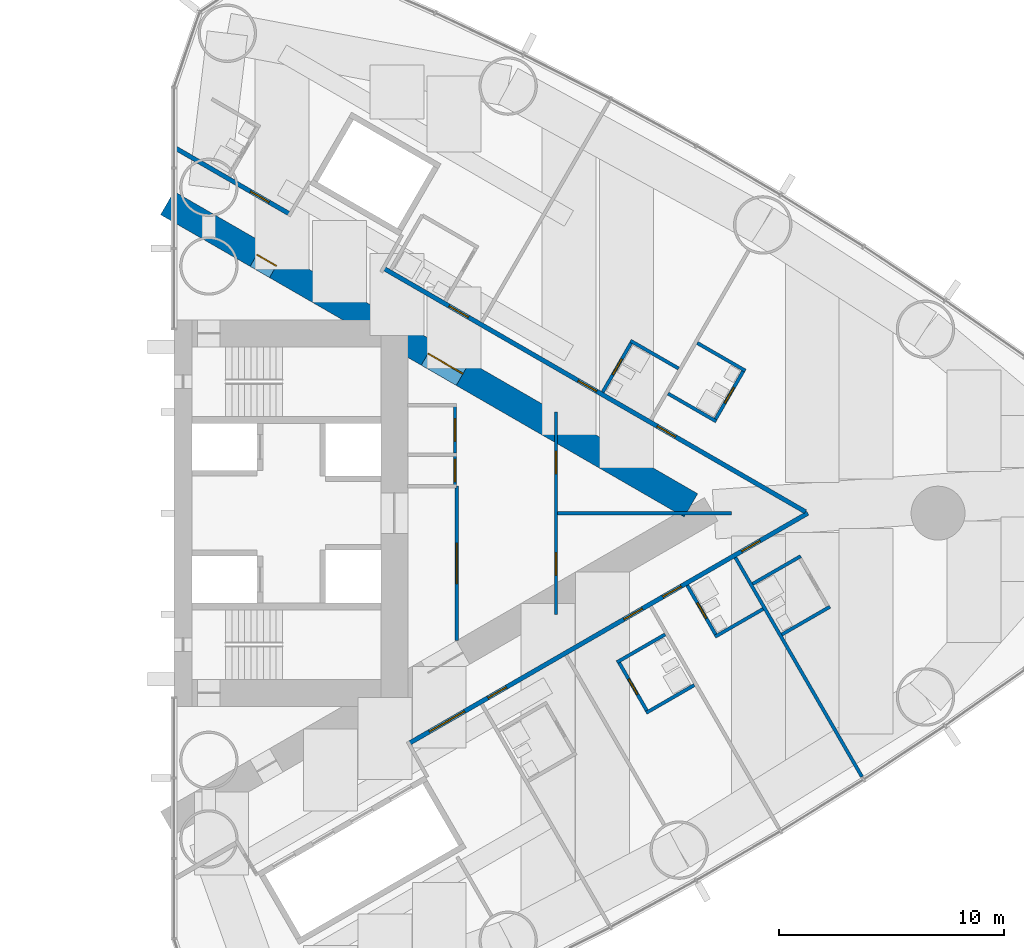
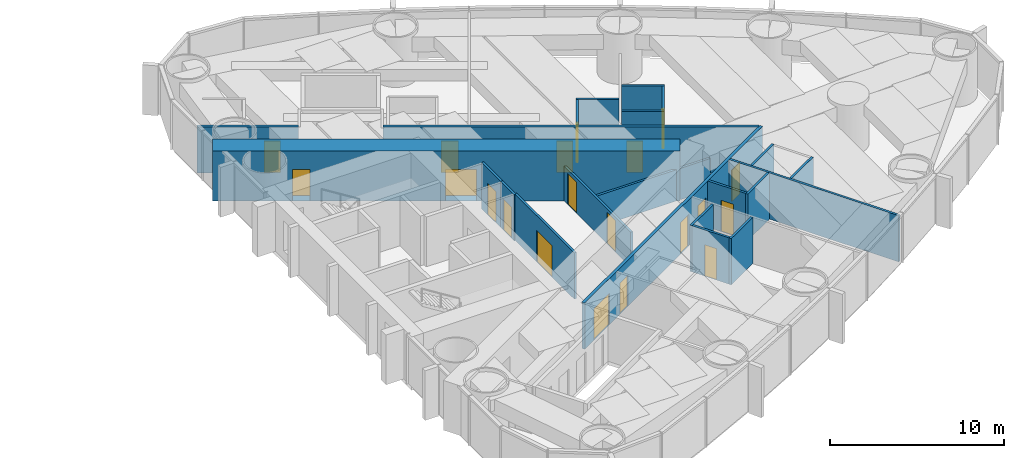
# One storey, part 14 of 18: 22 walls, 20 doors, 20 openings.
"""IFC4 building model written with IfcOpenShell, lengths in metres."""

from ifc_helpers import new_model, si_unit, direction, frame, frame_2d, origin, place, context, subcontext, project, spatial, rectangle, extrude, material, layer, layer_set, type_object, element, fill, save


model = new_model("IFC4")

# Units and contexts
model_context = context("Model", 3, precision=1e-05, world=origin(), true_north=direction((0.0, 1.0)))
body_context = subcontext(model_context, "Body", "Model", "MODEL_VIEW")
ifc_project = project(units=[si_unit("LENGTHUNIT", "METRE"), si_unit("AREAUNIT", "SQUARE_METRE"), si_unit("VOLUMEUNIT", "CUBIC_METRE"), si_unit("PLANEANGLEUNIT", "RADIAN"), si_unit("MASSUNIT", "GRAM", prefix="KILO")], contexts=[model_context])

# Site, building, storey
site_placement = place(None, origin())
site = spatial("IfcSite", under=ifc_project, at=site_placement, CompositionType="ELEMENT")
building_placement = place(site_placement, origin())
building = spatial("IfcBuilding", under=site, at=building_placement, Name="Lancet Gate Hotel", CompositionType="ELEMENT")
storey_placement = place(building_placement, frame((0.0, 0.0, 97.60009765625)))
storey = spatial("IfcBuildingStorey", under=building, at=storey_placement, Name="L25", CompositionType="ELEMENT", Elevation=97.60009765625)

# Wall
ifc_material_1 = material(Name="Moisture resistant board partition")
ifc_layer_1 = layer(ifc_material_1, 0.14990234375)
ifc_layer_set_1 = layer_set([ifc_layer_1], Name="Bathroom wall 150")
wall_type_1 = type_object("IfcWallType", Name="Bathroom wall 150", PredefinedType="PARTITIONING", material=ifc_layer_set_1)
wall_1_placement = place(storey_placement, frame((48.510009765625, -8.88671875, 0.0), z_axis=(0.0, 0.0, 1.0), x_axis=(0.866031185235, 0.4999899861, 0.0)))
element("IfcWall", 1, at=wall_1_placement, inside=storey, type_object=wall_type_1, Name="T2 bathroom wall 150 L25", PredefinedType="PARTITIONING", context=body_context, shape_type="SweptSolid", body=[
    extrude(rectangle(XDim=2.47509765625, YDim=0.14990234375, at=frame_2d((1.237548828125, 0.0))), origin(), (0.0, 0.0, 1.0), 3.25),
])

# Wall, opening, door
wall_2_placement = place(storey_placement, frame((47.275146484375, -6.597412109375, 0.0), z_axis=(0.0, 0.0, 1.0), x_axis=(0.499936506574, -0.866062058628, 0.0)))
wall_2 = element("IfcWall", 2, at=wall_2_placement, inside=storey, type_object=wall_type_1, Name="T2 bathroom wall 150 L25", PredefinedType="PARTITIONING", context=body_context, shape_type="SweptSolid", body=[
    extrude(rectangle(XDim=2.599853515625, YDim=0.14990234375, at=frame_2d((1.2998046875, 0.0))), origin(), (0.0, 0.0, 1.0), 3.25),
])
opening_1_placement = place(wall_2_placement, frame((0.89990234375, 0.0, 0.0)))
opening_1 = element("IfcOpeningElement", 3, at=opening_1_placement, cuts=wall_2, Name="Opening 2555-B", PredefinedType="OPENING", context=body_context, shape_type="SweptSolid", body=[
    extrude(rectangle(XDim=0.800048828125, YDim=2.199951171875, at=frame_2d((0.39990234375, 1.10009765625))), frame((0.0, 0.0849609375, 0.0), z_axis=(0.0, -1.0, 0.0), x_axis=(1.0, 0.0, 0.0)), (0.0, 0.0, 1.0), 0.169921875),
])
ifc_material_2 = material(Name="Timber door set", Category="wood")
door_type_1 = type_object("IfcDoorType", Name="Bathroom door 800", OperationType="SINGLE_SWING_RIGHT", PredefinedType="DOOR", material=ifc_material_2)
door_1_placement = place(opening_1_placement, origin())
door_1 = element("IfcDoor", 4, at=door_1_placement, inside=storey, type_object=door_type_1, Name="2555-B", OperationType="SINGLE_SWING_RIGHT", OverallHeight=2.199951171875, OverallWidth=0.800048828125, PredefinedType="DOOR", context=body_context, shape_type="SweptSolid", body=[
    extrude(rectangle(XDim=0.800048828125, YDim=2.199951171875, at=frame_2d((0.39990234375, 1.10009765625))), frame((0.0, 0.02490234375, 0.0), z_axis=(0.0, -1.0, 0.0), x_axis=(1.0, 0.0, 0.0)), (0.0, 0.0, 1.0), 0.050048828125),
])
fill(opening_1, door_1)

# Walls
for number, where, z_axis, x_axis, name in (
    (5, (47.210205078125, -6.635009765625, 0.0), (0.0, 0.0, 1.0), (0.866006523861, 0.500032699561, 0.0), "T2 bathroom wall 150 L25"),
    (6, (51.572998046875, -5.501708984375, 0.0), (0.0, 0.0, 1.0), (0.866006523861, 0.500032699561, 0.0), "T2 bathroom wall 150 L25"),
):
    element("IfcWall", number, at=place(storey_placement, frame(where, z_axis=z_axis, x_axis=x_axis)), inside=storey, type_object=wall_type_1, Name=name, PredefinedType="PARTITIONING", context=body_context, shape_type="SweptSolid", body=[
        extrude(rectangle(XDim=2.474853515625, YDim=0.14990234375, at=frame_2d((1.2373046875, 0.0))), origin(), (0.0, 0.0, 1.0), 3.25),
    ])

# Wall, opening, door
wall_3_placement = place(storey_placement, frame((50.337890625, -3.212646484375, 0.0), z_axis=(0.0, 0.0, 1.0), x_axis=(0.500047596559, -0.865997922154, 0.0)))
wall_3 = element("IfcWall", 7, at=wall_3_placement, inside=storey, type_object=wall_type_1, Name="T2 bathroom wall 150 L25", PredefinedType="PARTITIONING", context=body_context, shape_type="SweptSolid", body=[
    extrude(rectangle(XDim=2.599853515625, YDim=0.14990234375, at=frame_2d((1.2998046875, 0.0))), origin(), (0.0, 0.0, 1.0), 3.25),
])
opening_2_placement = place(wall_3_placement, frame((0.89990234375, 0.0, 0.0)))
opening_2 = element("IfcOpeningElement", 8, at=opening_2_placement, cuts=wall_3, Name="Opening 2556-B", PredefinedType="OPENING", context=body_context, shape_type="SweptSolid", body=[
    extrude(rectangle(XDim=0.800048828125, YDim=2.199951171875, at=frame_2d((0.39990234375, 1.10009765625))), frame((0.0, 0.0849609375, 0.0), z_axis=(0.0, -1.0, 0.0), x_axis=(1.0, 0.0, 0.0)), (0.0, 0.0, 1.0), 0.169921875),
])
door_2_placement = place(opening_2_placement, origin())
door_2 = element("IfcDoor", 9, at=door_2_placement, inside=storey, type_object=door_type_1, Name="2556-B", OperationType="SINGLE_SWING_RIGHT", OverallHeight=2.199951171875, OverallWidth=0.800048828125, PredefinedType="DOOR", context=body_context, shape_type="SweptSolid", body=[
    extrude(rectangle(XDim=0.800048828125, YDim=2.199951171875, at=frame_2d((0.39990234375, 1.10009765625))), frame((0.0, 0.02490234375, 0.0), z_axis=(0.0, -1.0, 0.0), x_axis=(1.0, 0.0, 0.0)), (0.0, 0.0, 1.0), 0.050048828125),
])
fill(opening_2, door_2)

# Walls
for number, where, z_axis, x_axis, name in (
    (10, (54.54638671875, -5.401611328125, 0.0), (0.0, 0.0, 1.0), (0.866006523861, 0.500032699561, 0.0), "T2 bathroom wall 150 L25"),
    (11, (53.246337890625, -3.14990234375, 0.0), (0.0, 0.0, 1.0), (0.866006523861, 0.500032699561, 0.0), "T2 bathroom wall 150 L25"),
    (12, (50.783447265625, 7.57421875, 0.0), (0.0, 0.0, 1.0), (0.866006523861, -0.500032699561, 0.0), "T2 bathroom wall 150 L25"),
):
    element("IfcWall", number, at=place(storey_placement, frame(where, z_axis=z_axis, x_axis=x_axis)), inside=storey, type_object=wall_type_1, Name=name, PredefinedType="PARTITIONING", context=body_context, shape_type="SweptSolid", body=[
        extrude(rectangle(XDim=2.474853515625, YDim=0.14990234375, at=frame_2d((1.2373046875, 0.0))), origin(), (0.0, 0.0, 1.0), 3.25),
    ])

# Wall, opening, door
wall_4_placement = place(storey_placement, frame((51.56201171875, 4.12255859375, 0.0), z_axis=(0.0, 0.0, 1.0), x_axis=(0.49997716683, 0.86603858612, 0.0)))
wall_4 = element("IfcWall", 13, at=wall_4_placement, inside=storey, type_object=wall_type_1, Name="T2 bathroom wall 150 L25", PredefinedType="PARTITIONING", context=body_context, shape_type="SweptSolid", body=[
    extrude(rectangle(XDim=2.599609375, YDim=0.14990234375, at=frame_2d((1.2998046875, 0.0))), origin(), (0.0, 0.0, 1.0), 3.25),
])
opening_3_placement = place(wall_4_placement, frame((0.89990234375, 0.0, 0.0)))
opening_3 = element("IfcOpeningElement", 14, at=opening_3_placement, cuts=wall_4, Name="Opening 2558-B", PredefinedType="OPENING", context=body_context, shape_type="SweptSolid", body=[
    extrude(rectangle(XDim=0.800048828125, YDim=2.199951171875, at=frame_2d((0.39990234375, 1.10009765625))), frame((0.0, 0.0849609375, 0.0), z_axis=(0.0, -1.0, 0.0), x_axis=(1.0, 0.0, 0.0)), (0.0, 0.0, 1.0), 0.169921875),
])
door_3_placement = place(opening_3_placement, origin())
door_3 = element("IfcDoor", 15, at=door_3_placement, inside=storey, type_object=door_type_1, Name="2558-B", OperationType="SINGLE_SWING_RIGHT", OverallHeight=2.199951171875, OverallWidth=0.800048828125, PredefinedType="DOOR", context=body_context, shape_type="SweptSolid", body=[
    extrude(rectangle(XDim=0.800048828125, YDim=2.199951171875, at=frame_2d((0.39990234375, 1.10009765625))), frame((0.0, 0.02490234375, 0.0), z_axis=(0.0, -1.0, 0.0), x_axis=(1.0, 0.0, 0.0)), (0.0, 0.0, 1.0), 0.050048828125),
])
fill(opening_3, door_3)

# Walls
for number, where, z_axis, x_axis, name in (
    (16, (49.4833984375, 5.322509765625, 0.0), (0.0, 0.0, 1.0), (0.866031185235, -0.4999899861, 0.0), "T2 bathroom wall 150 L25"),
    (17, (47.81005859375, 7.67431640625, 0.0), (0.0, 0.0, 1.0), (0.866031185235, -0.4999899861, 0.0), "T2 bathroom wall 150 L25"),
):
    element("IfcWall", number, at=place(storey_placement, frame(where, z_axis=z_axis, x_axis=x_axis)), inside=storey, type_object=wall_type_1, Name=name, PredefinedType="PARTITIONING", context=body_context, shape_type="SweptSolid", body=[
        extrude(rectangle(XDim=2.47509765625, YDim=0.14990234375, at=frame_2d((1.237548828125, 0.0))), origin(), (0.0, 0.0, 1.0), 3.25),
    ])

# Wall, opening, door
wall_5_placement = place(storey_placement, frame((46.574951171875, 5.385009765625, 0.0), z_axis=(0.0, 0.0, 1.0), x_axis=(0.500006934395, 0.866021400173, 0.0)))
wall_5 = element("IfcWall", 18, at=wall_5_placement, inside=storey, type_object=wall_type_1, Name="T2 bathroom wall 150 L25", PredefinedType="PARTITIONING", context=body_context, shape_type="SweptSolid", body=[
    extrude(rectangle(XDim=2.60009765625, YDim=0.14990234375, at=frame_2d((1.300048828125, 0.0))), origin(), (0.0, 0.0, 1.0), 3.25),
])
opening_4_placement = place(wall_5_placement, frame((0.89990234375, 0.0, 0.0)))
opening_4 = element("IfcOpeningElement", 19, at=opening_4_placement, cuts=wall_5, Name="Opening 2560-B", PredefinedType="OPENING", context=body_context, shape_type="SweptSolid", body=[
    extrude(rectangle(XDim=0.800048828125, YDim=2.199951171875, at=frame_2d((0.39990234375, 1.10009765625))), frame((0.0, 0.0849609375, 0.0), z_axis=(0.0, -1.0, 0.0), x_axis=(1.0, 0.0, 0.0)), (0.0, 0.0, 1.0), 0.169921875),
])
door_4_placement = place(opening_4_placement, origin())
door_4 = element("IfcDoor", 20, at=door_4_placement, inside=storey, type_object=door_type_1, Name="2560-B", OperationType="SINGLE_SWING_RIGHT", OverallHeight=2.199951171875, OverallWidth=0.800048828125, PredefinedType="DOOR", context=body_context, shape_type="SweptSolid", body=[
    extrude(rectangle(XDim=0.800048828125, YDim=2.199951171875, at=frame_2d((0.39990234375, 1.10009765625))), frame((0.0, 0.02490234375, 0.0), z_axis=(0.0, -1.0, 0.0), x_axis=(1.0, 0.0, 0.0)), (0.0, 0.0, 1.0), 0.050048828125),
])
fill(opening_4, door_4)

# Wall, openings, doors
ifc_material_3 = material(Name="Concrete C70/85", Category="concrete")
ifc_layer_2 = layer(ifc_material_3, 1.199951171875)
ifc_layer_set_2 = layer_set([ifc_layer_2], Name="Buttress wall 1200")
wall_type_2 = type_object("IfcWallType", Name="Buttress wall 1200", PredefinedType="SHEAR", material=ifc_layer_set_2)
wall_6_placement = place(storey_placement, frame((27.199951171875, 13.800048828125, 0.0), z_axis=(0.0, 0.0, 1.0), x_axis=(0.866024515034, -0.500001539357, 0.0)))
wall_6 = element("IfcWall", 21, at=wall_6_placement, inside=storey, type_object=wall_type_2, Name="T2 buttress wall N L25", PredefinedType="SHEAR", context=body_context, shape_type="SweptSolid", body=[
    extrude(rectangle(XDim=26.9072265625, YDim=1.199951171875, at=frame_2d((13.45361328125, 0.0))), origin(), (0.0, 0.0, 1.0), 3.5),
])
opening_5_placement = place(wall_6_placement, frame((4.60009765625, 0.0, 0.0)))
opening_5 = element("IfcOpeningElement", 22, at=opening_5_placement, cuts=wall_6, Name="Opening T2-L25-LN", PredefinedType="OPENING", context=body_context, shape_type="SweptSolid", body=[
    extrude(rectangle(XDim=1.0, YDim=2.199951171875, at=frame_2d((0.5, 1.10009765625))), frame((0.0, 0.60986328125, 0.0), z_axis=(0.0, -1.0, 0.0), x_axis=(1.0, 0.0, 0.0)), (0.0, 0.0, 1.0), 1.219970703125),
])
opening_6_placement = place(wall_6_placement, frame((13.39453125, 0.0, 0.0)))
opening_6 = element("IfcOpeningElement", 23, at=opening_6_placement, cuts=wall_6, Name="Opening T2-L25-LHN", PredefinedType="OPENING", context=body_context, shape_type="SweptSolid", body=[
    extrude(rectangle(XDim=1.800048828125, YDim=2.199951171875, at=frame_2d((0.89990234375, 1.10009765625))), frame((0.0, 0.60986328125, 0.0), z_axis=(0.0, -1.0, 0.0), x_axis=(1.0, 0.0, 0.0)), (0.0, 0.0, 1.0), 1.219970703125),
])
ifc_material_4 = material(Name="Timber door set", Category="wood")
door_type_2 = type_object("IfcDoorType", Name="Lobby double door 1800", OperationType="DOUBLE_DOOR_SINGLE_SWING", PredefinedType="DOOR", material=ifc_material_4)
door_5_placement = place(opening_6_placement, origin())
door_5 = element("IfcDoor", 24, at=door_5_placement, inside=storey, type_object=door_type_2, Name="T2-L25-LHN", OperationType="DOUBLE_DOOR_SINGLE_SWING", OverallHeight=2.199951171875, OverallWidth=1.800048828125, PredefinedType="DOOR", context=body_context, shape_type="SweptSolid", body=[
    extrude(rectangle(XDim=1.800048828125, YDim=2.199951171875, at=frame_2d((0.89990234375, 1.10009765625))), frame((0.0, 0.02490234375, 0.0), z_axis=(0.0, -1.0, 0.0), x_axis=(1.0, 0.0, 0.0)), (0.0, 0.0, 1.0), 0.050048828125),
])
fill(opening_6, door_5)
ifc_material_5 = material(Name="Timber door set", Category="wood")
door_type_3 = type_object("IfcDoorType", Name="Stair lobby door 1000", OperationType="SINGLE_SWING_LEFT", PredefinedType="DOOR", material=ifc_material_5)
door_6_placement = place(opening_5_placement, origin())
door_6 = element("IfcDoor", 25, at=door_6_placement, inside=storey, type_object=door_type_3, Name="T2-L25-LN", OperationType="SINGLE_SWING_LEFT", OverallHeight=2.199951171875, OverallWidth=1.0, PredefinedType="DOOR", context=body_context, shape_type="SweptSolid", body=[
    extrude(rectangle(XDim=1.0, YDim=2.199951171875, at=frame_2d((0.5, 1.10009765625))), frame((0.0, 0.02490234375, 0.0), z_axis=(0.0, -1.0, 0.0), x_axis=(1.0, 0.0, 0.0)), (0.0, 0.0, 1.0), 0.050048828125),
])
fill(opening_5, door_6)

ifc_material_6 = material(Name="Gypsum board partition")
ifc_layer_3 = layer(ifc_material_6, 0.199951171875)
ifc_layer_set_3 = layer_set([ifc_layer_3], Name="Corridor wall 200")
wall_type_3 = type_object("IfcWallType", Name="Corridor wall 200", PredefinedType="PARTITIONING", material=ifc_layer_set_3)
wall_7_placement = place(storey_placement, frame((37.9599609375, -10.243408203125, 0.0), z_axis=(0.0, 0.0, 1.0), x_axis=(0.866026429433, 0.499998223521, 0.0)))
wall_7 = element("IfcWall", 26, at=wall_7_placement, inside=storey, type_object=wall_type_3, Name="T2 corridor wall 200 L25", PredefinedType="PARTITIONING", context=body_context, shape_type="SweptSolid", body=[
    extrude(rectangle(XDim=20.48681640625, YDim=0.199951171875, at=frame_2d((10.243408203125, 0.0))), origin(), (0.0, 0.0, 1.0), 3.25),
])
opening_7_placement = place(wall_7_placement, frame((4.046630859375, 0.0, 0.0)))
opening_7 = element("IfcOpeningElement", 27, at=opening_7_placement, cuts=wall_7, Name="Opening 2554-E", PredefinedType="OPENING", context=body_context, shape_type="SweptSolid", body=[
    extrude(rectangle(XDim=0.949951171875, YDim=2.199951171875, at=frame_2d((0.47509765625, 1.10009765625))), frame((0.0, 0.10986328125, 0.0), z_axis=(0.0, -1.0, 0.0), x_axis=(1.0, 0.0, 0.0)), (0.0, 0.0, 1.0), 0.219970703125),
])
opening_8_placement = place(wall_7_placement, frame((11.0400390625, 0.0, 0.0)))
opening_8 = element("IfcOpeningElement", 28, at=opening_8_placement, cuts=wall_7, Name="Opening 2555-E", PredefinedType="OPENING", context=body_context, shape_type="SweptSolid", body=[
    extrude(rectangle(XDim=0.949951171875, YDim=2.199951171875, at=frame_2d((0.47509765625, 1.10009765625))), frame((0.0, 0.10986328125, 0.0), z_axis=(0.0, -1.0, 0.0), x_axis=(1.0, 0.0, 0.0)), (0.0, 0.0, 1.0), 0.219970703125),
])
opening_9_placement = place(wall_7_placement, frame((13.03515625, 0.0, 0.0)))
opening_9 = element("IfcOpeningElement", 29, at=opening_9_placement, cuts=wall_7, Name="Opening 2556-E", PredefinedType="OPENING", context=body_context, shape_type="SweptSolid", body=[
    extrude(rectangle(XDim=0.949951171875, YDim=2.199951171875, at=frame_2d((0.47509765625, 1.10009765625))), frame((0.0, 0.10986328125, 0.0), z_axis=(0.0, -1.0, 0.0), x_axis=(1.0, 0.0, 0.0)), (0.0, 0.0, 1.0), 0.219970703125),
])
opening_10_placement = place(wall_7_placement, frame((17.085205078125, 0.0, 0.0)))
opening_10 = element("IfcOpeningElement", 30, at=opening_10_placement, cuts=wall_7, Name="Opening 2557-E", PredefinedType="OPENING", context=body_context, shape_type="SweptSolid", body=[
    extrude(rectangle(XDim=0.949951171875, YDim=2.199951171875, at=frame_2d((0.47509765625, 1.10009765625))), frame((0.0, 0.10986328125, 0.0), z_axis=(0.0, -1.0, 0.0), x_axis=(1.0, 0.0, 0.0)), (0.0, 0.0, 1.0), 0.219970703125),
])
opening_11_placement = place(wall_7_placement, frame((1.04833984375, 0.0, 0.0)))
opening_11 = element("IfcOpeningElement", 31, at=opening_11_placement, cuts=wall_7, Name="Opening T2-L25-LO2", PredefinedType="OPENING", context=body_context, shape_type="SweptSolid", body=[
    extrude(rectangle(XDim=1.800048828125, YDim=2.199951171875, at=frame_2d((0.89990234375, 1.10009765625))), frame((0.0, 0.10986328125, 0.0), z_axis=(0.0, -1.0, 0.0), x_axis=(1.0, 0.0, 0.0)), (0.0, 0.0, 1.0), 0.219970703125),
])
ifc_material_7 = material(Name="Timber door set", Category="wood")
door_type_4 = type_object("IfcDoorType", Name="Double door 1800", OperationType="DOUBLE_DOOR_SINGLE_SWING", PredefinedType="DOOR", material=ifc_material_7)
door_7_placement = place(opening_11_placement, origin())
door_7 = element("IfcDoor", 32, at=door_7_placement, inside=storey, type_object=door_type_4, Name="T2-L25-LO2", OperationType="DOUBLE_DOOR_SINGLE_SWING", OverallHeight=2.199951171875, OverallWidth=1.800048828125, PredefinedType="DOOR", context=body_context, shape_type="SweptSolid", body=[
    extrude(rectangle(XDim=1.800048828125, YDim=2.199951171875, at=frame_2d((0.89990234375, 1.10009765625))), frame((0.0, 0.02490234375, 0.0), z_axis=(0.0, -1.0, 0.0), x_axis=(1.0, 0.0, 0.0)), (0.0, 0.0, 1.0), 0.050048828125),
])
fill(opening_11, door_7)
ifc_material_8 = material(Name="Timber door set", Category="wood")
door_type_5 = type_object("IfcDoorType", Name="Guest room entry door 950", OperationType="SINGLE_SWING_LEFT", PredefinedType="DOOR", material=ifc_material_8)
door_8_placement = place(opening_7_placement, origin())
door_8 = element("IfcDoor", 33, at=door_8_placement, inside=storey, type_object=door_type_5, Name="2554-E", OperationType="SINGLE_SWING_LEFT", OverallHeight=2.199951171875, OverallWidth=0.949951171875, PredefinedType="DOOR", context=body_context, shape_type="SweptSolid", body=[
    extrude(rectangle(XDim=0.949951171875, YDim=2.199951171875, at=frame_2d((0.47509765625, 1.10009765625))), frame((0.0, 0.02490234375, 0.0), z_axis=(0.0, -1.0, 0.0), x_axis=(1.0, 0.0, 0.0)), (0.0, 0.0, 1.0), 0.050048828125),
])
fill(opening_7, door_8)
door_9_placement = place(opening_8_placement, origin())
door_9 = element("IfcDoor", 34, at=door_9_placement, inside=storey, type_object=door_type_5, Name="2555-E", OperationType="SINGLE_SWING_LEFT", OverallHeight=2.199951171875, OverallWidth=0.949951171875, PredefinedType="DOOR", context=body_context, shape_type="SweptSolid", body=[
    extrude(rectangle(XDim=0.949951171875, YDim=2.199951171875, at=frame_2d((0.47509765625, 1.10009765625))), frame((0.0, 0.02490234375, 0.0), z_axis=(0.0, -1.0, 0.0), x_axis=(1.0, 0.0, 0.0)), (0.0, 0.0, 1.0), 0.050048828125),
])
fill(opening_8, door_9)
door_10_placement = place(opening_9_placement, origin())
door_10 = element("IfcDoor", 35, at=door_10_placement, inside=storey, type_object=door_type_5, Name="2556-E", OperationType="SINGLE_SWING_LEFT", OverallHeight=2.199951171875, OverallWidth=0.949951171875, PredefinedType="DOOR", context=body_context, shape_type="SweptSolid", body=[
    extrude(rectangle(XDim=0.949951171875, YDim=2.199951171875, at=frame_2d((0.47509765625, 1.10009765625))), frame((0.0, 0.02490234375, 0.0), z_axis=(0.0, -1.0, 0.0), x_axis=(1.0, 0.0, 0.0)), (0.0, 0.0, 1.0), 0.050048828125),
])
fill(opening_9, door_10)
door_11_placement = place(opening_10_placement, origin())
door_11 = element("IfcDoor", 36, at=door_11_placement, inside=storey, type_object=door_type_5, Name="2557-E", OperationType="SINGLE_SWING_LEFT", OverallHeight=2.199951171875, OverallWidth=0.949951171875, PredefinedType="DOOR", context=body_context, shape_type="SweptSolid", body=[
    extrude(rectangle(XDim=0.949951171875, YDim=2.199951171875, at=frame_2d((0.47509765625, 1.10009765625))), frame((0.0, 0.02490234375, 0.0), z_axis=(0.0, -1.0, 0.0), x_axis=(1.0, 0.0, 0.0)), (0.0, 0.0, 1.0), 0.050048828125),
])
fill(opening_10, door_11)

# Wall, opening, door
wall_8_placement = place(storey_placement, frame((27.572021484375, 16.240966796875, 0.0), z_axis=(0.0, 0.0, 1.0), x_axis=(0.866032814021, -0.499987164874, 0.0)))
wall_8 = element("IfcWall", 37, at=wall_8_placement, inside=storey, type_object=wall_type_3, Name="T2 corridor wall 200 L25", PredefinedType="PARTITIONING", context=body_context, shape_type="SweptSolid", body=[
    extrude(rectangle(XDim=5.854736328125, YDim=0.199951171875, at=frame_2d((2.92724609375, 0.0))), origin(), (0.0, 0.0, 1.0), 3.25),
])
opening_12_placement = place(wall_8_placement, frame((3.85009765625, 0.0, 0.0)))
opening_12 = element("IfcOpeningElement", 38, at=opening_12_placement, cuts=wall_8, Name="Opening 2564-E", PredefinedType="OPENING", context=body_context, shape_type="SweptSolid", body=[
    extrude(rectangle(XDim=0.949951171875, YDim=2.199951171875, at=frame_2d((0.47509765625, 1.10009765625))), frame((0.0, 0.10986328125, 0.0), z_axis=(0.0, -1.0, 0.0), x_axis=(1.0, 0.0, 0.0)), (0.0, 0.0, 1.0), 0.219970703125),
])
door_12_placement = place(opening_12_placement, origin())
door_12 = element("IfcDoor", 39, at=door_12_placement, inside=storey, type_object=door_type_5, Name="2564-E", OperationType="SINGLE_SWING_LEFT", OverallHeight=2.199951171875, OverallWidth=0.949951171875, PredefinedType="DOOR", context=body_context, shape_type="SweptSolid", body=[
    extrude(rectangle(XDim=0.949951171875, YDim=2.199951171875, at=frame_2d((0.47509765625, 1.10009765625))), frame((0.0, 0.02490234375, 0.0), z_axis=(0.0, -1.0, 0.0), x_axis=(1.0, 0.0, 0.0)), (0.0, 0.0, 1.0), 0.050048828125),
])
fill(opening_12, door_12)

# Wall, openings, doors
wall_9_placement = place(storey_placement, frame((36.833984375, 10.8935546875, 0.0), z_axis=(0.0, 0.0, 1.0), x_axis=(0.866028157229, -0.499995230863, 0.0)))
wall_9 = element("IfcWall", 40, at=wall_9_placement, inside=storey, type_object=wall_type_3, Name="T2 corridor wall 200 L25", PredefinedType="PARTITIONING", context=body_context, shape_type="SweptSolid", body=[
    extrude(rectangle(XDim=21.667236328125, YDim=0.199951171875, at=frame_2d((10.83349609375, 0.0))), origin(), (0.0, 0.0, 1.0), 3.25),
])
opening_13_placement = place(wall_9_placement, frame((14.040283203125, 0.0, 0.0)))
opening_13 = element("IfcOpeningElement", 41, at=opening_13_placement, cuts=wall_9, Name="Opening 2558-E", PredefinedType="OPENING", context=body_context, shape_type="SweptSolid", body=[
    extrude(rectangle(XDim=0.949951171875, YDim=2.199951171875, at=frame_2d((0.47509765625, 1.10009765625))), frame((0.0, 0.10986328125, 0.0), z_axis=(0.0, -1.0, 0.0), x_axis=(1.0, 0.0, 0.0)), (0.0, 0.0, 1.0), 0.219970703125),
])
opening_14_placement = place(wall_9_placement, frame((9.990234375, 0.0, 0.0)))
opening_14 = element("IfcOpeningElement", 42, at=opening_14_placement, cuts=wall_9, Name="Opening 2560-E", PredefinedType="OPENING", context=body_context, shape_type="SweptSolid", body=[
    extrude(rectangle(XDim=0.949951171875, YDim=2.199951171875, at=frame_2d((0.47509765625, 1.10009765625))), frame((0.0, 0.10986328125, 0.0), z_axis=(0.0, -1.0, 0.0), x_axis=(1.0, 0.0, 0.0)), (0.0, 0.0, 1.0), 0.219970703125),
])
opening_15_placement = place(wall_9_placement, frame((3.35009765625, 0.0, 0.0)))
opening_15 = element("IfcOpeningElement", 43, at=opening_15_placement, cuts=wall_9, Name="Opening 2562-E", PredefinedType="OPENING", context=body_context, shape_type="SweptSolid", body=[
    extrude(rectangle(XDim=1.0, YDim=2.199951171875, at=frame_2d((0.5, 1.10009765625))), frame((0.0, 0.10986328125, 0.0), z_axis=(0.0, -1.0, 0.0), x_axis=(1.0, 0.0, 0.0)), (0.0, 0.0, 1.0), 0.219970703125),
])
ifc_material_9 = material(Name="Timber door set", Category="wood")
door_type_6 = type_object("IfcDoorType", Name="Accessible guest room door 1000", OperationType="SINGLE_SWING_LEFT", PredefinedType="DOOR", material=ifc_material_9)
door_13_placement = place(opening_15_placement, origin())
door_13 = element("IfcDoor", 44, at=door_13_placement, inside=storey, type_object=door_type_6, Name="2562-E", OperationType="SINGLE_SWING_LEFT", OverallHeight=2.199951171875, OverallWidth=1.0, PredefinedType="DOOR", context=body_context, shape_type="SweptSolid", body=[
    extrude(rectangle(XDim=1.0, YDim=2.199951171875, at=frame_2d((0.5, 1.10009765625))), frame((0.0, 0.02490234375, 0.0), z_axis=(0.0, -1.0, 0.0), x_axis=(1.0, 0.0, 0.0)), (0.0, 0.0, 1.0), 0.050048828125),
])
fill(opening_15, door_13)
door_14_placement = place(opening_13_placement, origin())
door_14 = element("IfcDoor", 45, at=door_14_placement, inside=storey, type_object=door_type_5, Name="2558-E", OperationType="SINGLE_SWING_LEFT", OverallHeight=2.199951171875, OverallWidth=0.949951171875, PredefinedType="DOOR", context=body_context, shape_type="SweptSolid", body=[
    extrude(rectangle(XDim=0.949951171875, YDim=2.199951171875, at=frame_2d((0.47509765625, 1.10009765625))), frame((0.0, 0.02490234375, 0.0), z_axis=(0.0, -1.0, 0.0), x_axis=(1.0, 0.0, 0.0)), (0.0, 0.0, 1.0), 0.050048828125),
])
fill(opening_13, door_14)
door_15_placement = place(opening_14_placement, origin())
door_15 = element("IfcDoor", 46, at=door_15_placement, inside=storey, type_object=door_type_5, Name="2560-E", OperationType="SINGLE_SWING_LEFT", OverallHeight=2.199951171875, OverallWidth=0.949951171875, PredefinedType="DOOR", context=body_context, shape_type="SweptSolid", body=[
    extrude(rectangle(XDim=0.949951171875, YDim=2.199951171875, at=frame_2d((0.47509765625, 1.10009765625))), frame((0.0, 0.02490234375, 0.0), z_axis=(0.0, -1.0, 0.0), x_axis=(1.0, 0.0, 0.0)), (0.0, 0.0, 1.0), 0.050048828125),
])
fill(opening_14, door_15)

# Wall
ifc_material_10 = material(Name="Gypsum board partition")
ifc_layer_4 = layer(ifc_material_10, 0.14990234375)
ifc_layer_set_4 = layer_set([ifc_layer_4], Name="Party wall 150")
wall_type_4 = type_object("IfcWallType", Name="Party wall 150", PredefinedType="PARTITIONING", material=ifc_layer_set_4)
wall_10_placement = place(storey_placement, frame((52.4814453125, -1.97509765625, 0.0), z_axis=(0.0, 0.0, 1.0), x_axis=(0.500003867771, -0.866023170714, 0.0)))
element("IfcWall", 47, at=wall_10_placement, inside=storey, type_object=wall_type_4, Name="T2 party wall 150 L25", PredefinedType="PARTITIONING", context=body_context, shape_type="SweptSolid", body=[
    extrude(rectangle(XDim=11.2646484375, YDim=0.14990234375, at=frame_2d((5.63232421875, 0.0))), origin(), (0.0, 0.0, 1.0), 3.25),
])

# Wall, opening, door
ifc_material_11 = material(Name="Gypsum board partition")
ifc_layer_5 = layer(ifc_material_11, 0.14990234375)
ifc_layer_set_5 = layer_set([ifc_layer_5], Name="Service room wall 150")
wall_type_5 = type_object("IfcWallType", Name="Service room wall 150", PredefinedType="PARTITIONING", material=ifc_layer_set_5)
wall_11_placement = place(storey_placement, frame((40.0, 1.125, 0.0), z_axis=(0.0, 0.0, 1.0), x_axis=(0.0, 1.0, 0.0)))
wall_11 = element("IfcWall", 48, at=wall_11_placement, inside=storey, type_object=wall_type_5, Name="T2 service room wall 150 L25", PredefinedType="PARTITIONING", context=body_context, shape_type="SweptSolid", body=[
    extrude(rectangle(XDim=1.550048828125, YDim=0.14990234375, at=frame_2d((0.77490234375, 0.0))), origin(), (0.0, 0.0, 1.0), 3.25),
])
opening_16_placement = place(wall_11_placement, frame((0.27490234375, 0.0, 0.0)))
opening_16 = element("IfcOpeningElement", 49, at=opening_16_placement, cuts=wall_11, Name="Opening T2-L25-HRN0", PredefinedType="OPENING", context=body_context, shape_type="SweptSolid", body=[
    extrude(rectangle(XDim=1.0, YDim=2.199951171875, at=frame_2d((0.5, 1.10009765625))), frame((0.0, 0.0849609375, 0.0), z_axis=(0.0, -1.0, 0.0), x_axis=(1.0, 0.0, 0.0)), (0.0, 0.0, 1.0), 0.169921875),
])
ifc_material_12 = material(Name="Timber door set", Category="wood")
door_type_7 = type_object("IfcDoorType", Name="Service door 1000", OperationType="SINGLE_SWING_LEFT", PredefinedType="DOOR", material=ifc_material_12)
door_16_placement = place(opening_16_placement, origin())
door_16 = element("IfcDoor", 50, at=door_16_placement, inside=storey, type_object=door_type_7, Name="T2-L25-HRN0", OperationType="SINGLE_SWING_LEFT", OverallHeight=2.199951171875, OverallWidth=1.0, PredefinedType="DOOR", context=body_context, shape_type="SweptSolid", body=[
    extrude(rectangle(XDim=1.0, YDim=2.199951171875, at=frame_2d((0.5, 1.10009765625))), frame((0.0, 0.02490234375, 0.0), z_axis=(0.0, -1.0, 0.0), x_axis=(1.0, 0.0, 0.0)), (0.0, 0.0, 1.0), 0.050048828125),
])
fill(opening_16, door_16)

wall_12_placement = place(storey_placement, frame((40.0, 2.52490234375, 0.0), z_axis=(0.0, 0.0, 1.0), x_axis=(0.0, 1.0, 0.0)))
wall_12 = element("IfcWall", 51, at=wall_12_placement, inside=storey, type_object=wall_type_5, Name="T2 service room wall 150 L25", PredefinedType="PARTITIONING", context=body_context, shape_type="SweptSolid", body=[
    extrude(rectangle(XDim=2.35009765625, YDim=0.14990234375, at=frame_2d((1.175048828125, 0.0))), origin(), (0.0, 0.0, 1.0), 3.25),
])
opening_17_placement = place(wall_12_placement, frame((0.675048828125, 0.0, 0.0)))
opening_17 = element("IfcOpeningElement", 52, at=opening_17_placement, cuts=wall_12, Name="Opening T2-L25-HRN1", PredefinedType="OPENING", context=body_context, shape_type="SweptSolid", body=[
    extrude(rectangle(XDim=1.0, YDim=2.199951171875, at=frame_2d((0.5, 1.10009765625))), frame((0.0, 0.0849609375, 0.0), z_axis=(0.0, -1.0, 0.0), x_axis=(1.0, 0.0, 0.0)), (0.0, 0.0, 1.0), 0.169921875),
])
door_17_placement = place(opening_17_placement, origin())
door_17 = element("IfcDoor", 53, at=door_17_placement, inside=storey, type_object=door_type_7, Name="T2-L25-HRN1", OperationType="SINGLE_SWING_LEFT", OverallHeight=2.199951171875, OverallWidth=1.0, PredefinedType="DOOR", context=body_context, shape_type="SweptSolid", body=[
    extrude(rectangle(XDim=1.0, YDim=2.199951171875, at=frame_2d((0.5, 1.10009765625))), frame((0.0, 0.02490234375, 0.0), z_axis=(0.0, -1.0, 0.0), x_axis=(1.0, 0.0, 0.0)), (0.0, 0.0, 1.0), 0.050048828125),
])
fill(opening_17, door_17)

wall_13_placement = place(storey_placement, frame((40.074951171875, -5.673828125, 0.0), z_axis=(0.0, 0.0, 1.0), x_axis=(0.0, 1.0, 0.0)))
wall_13 = element("IfcWall", 54, at=wall_13_placement, inside=storey, type_object=wall_type_5, Name="T2 service room wall 150 L25", PredefinedType="PARTITIONING", context=body_context, shape_type="SweptSolid", body=[
    extrude(rectangle(XDim=6.873779296875, YDim=0.14990234375, at=frame_2d((3.43701171875, 0.0))), origin(), (0.0, 0.0, 1.0), 3.25),
])
opening_18_placement = place(wall_13_placement, frame((2.536865234375, 0.0, 0.0)))
opening_18 = element("IfcOpeningElement", 55, at=opening_18_placement, cuts=wall_13, Name="Opening T2-L25-LH", PredefinedType="OPENING", context=body_context, shape_type="SweptSolid", body=[
    extrude(rectangle(XDim=1.800048828125, YDim=2.199951171875, at=frame_2d((0.89990234375, 1.10009765625))), frame((0.0, 0.0849609375, 0.0), z_axis=(0.0, -1.0, 0.0), x_axis=(1.0, 0.0, 0.0)), (0.0, 0.0, 1.0), 0.169921875),
])
door_18_placement = place(opening_18_placement, origin())
door_18 = element("IfcDoor", 56, at=door_18_placement, inside=storey, type_object=door_type_2, Name="T2-L25-LH", OperationType="DOUBLE_DOOR_SINGLE_SWING", OverallHeight=2.199951171875, OverallWidth=1.800048828125, PredefinedType="DOOR", context=body_context, shape_type="SweptSolid", body=[
    extrude(rectangle(XDim=1.800048828125, YDim=2.199951171875, at=frame_2d((0.89990234375, 1.10009765625))), frame((0.0, 0.02490234375, 0.0), z_axis=(0.0, -1.0, 0.0), x_axis=(1.0, 0.0, 0.0)), (0.0, 0.0, 1.0), 0.050048828125),
])
fill(opening_18, door_18)

# Wall, openings, doors
wall_14_placement = place(storey_placement, frame((44.5, -4.504638671875, 0.0), z_axis=(0.0, 0.0, 1.0), x_axis=(0.0, 1.0, 0.0)))
wall_14 = element("IfcWall", 57, at=wall_14_placement, inside=storey, type_object=wall_type_5, Name="T2 service room wall 150 L25", PredefinedType="PARTITIONING", context=body_context, shape_type="SweptSolid", body=[
    extrude(rectangle(XDim=9.00927734375, YDim=0.14990234375, at=frame_2d((4.504638671875, 0.0))), origin(), (0.0, 0.0, 1.0), 2.449951171875),
])
opening_19_placement = place(wall_14_placement, frame((1.752197265625, 0.0, 0.0)))
opening_19 = element("IfcOpeningElement", 58, at=opening_19_placement, cuts=wall_14, Name="Opening T2-L25-SV", PredefinedType="OPENING", context=body_context, shape_type="SweptSolid", body=[
    extrude(rectangle(XDim=1.0, YDim=2.199951171875, at=frame_2d((0.5, 1.10009765625))), frame((0.0, 0.0849609375, 0.0), z_axis=(0.0, -1.0, 0.0), x_axis=(1.0, 0.0, 0.0)), (0.0, 0.0, 1.0), 0.169921875),
])
opening_20_placement = place(wall_14_placement, frame((6.2568359375, 0.0, 0.0)))
opening_20 = element("IfcOpeningElement", 59, at=opening_20_placement, cuts=wall_14, Name="Opening T2-L25-SV2", PredefinedType="OPENING", context=body_context, shape_type="SweptSolid", body=[
    extrude(rectangle(XDim=1.0, YDim=2.199951171875, at=frame_2d((0.5, 1.10009765625))), frame((0.0, 0.0849609375, 0.0), z_axis=(0.0, -1.0, 0.0), x_axis=(1.0, 0.0, 0.0)), (0.0, 0.0, 1.0), 0.169921875),
])
door_19_placement = place(opening_19_placement, origin())
door_19 = element("IfcDoor", 60, at=door_19_placement, inside=storey, type_object=door_type_7, Name="T2-L25-SV", OperationType="SINGLE_SWING_LEFT", OverallHeight=2.199951171875, OverallWidth=1.0, PredefinedType="DOOR", context=body_context, shape_type="SweptSolid", body=[
    extrude(rectangle(XDim=1.0, YDim=2.199951171875, at=frame_2d((0.5, 1.10009765625))), frame((0.0, 0.02490234375, 0.0), z_axis=(0.0, -1.0, 0.0), x_axis=(1.0, 0.0, 0.0)), (0.0, 0.0, 1.0), 0.050048828125),
])
fill(opening_19, door_19)
door_20_placement = place(opening_20_placement, origin())
door_20 = element("IfcDoor", 61, at=door_20_placement, inside=storey, type_object=door_type_7, Name="T2-L25-SV2", OperationType="SINGLE_SWING_LEFT", OverallHeight=2.199951171875, OverallWidth=1.0, PredefinedType="DOOR", context=body_context, shape_type="SweptSolid", body=[
    extrude(rectangle(XDim=1.0, YDim=2.199951171875, at=frame_2d((0.5, 1.10009765625))), frame((0.0, 0.02490234375, 0.0), z_axis=(0.0, -1.0, 0.0), x_axis=(1.0, 0.0, 0.0)), (0.0, 0.0, 1.0), 0.050048828125),
])
fill(opening_20, door_20)

# Wall
wall_15_placement = place(storey_placement, frame((44.574951171875, 0.0, 0.0), z_axis=(0.0, 0.0, 1.0), x_axis=(1.0, 0.0, 0.0)))
element("IfcWall", 62, at=wall_15_placement, inside=storey, type_object=wall_type_5, Name="T2 service room wall 150 L25", PredefinedType="PARTITIONING", context=body_context, shape_type="SweptSolid", body=[
    extrude(rectangle(XDim=7.727294921875, YDim=0.14990234375, at=frame_2d((3.86376953125, 0.0))), origin(), (0.0, 0.0, 1.0), 2.199951171875),
])

save(model, "model.ifc")
